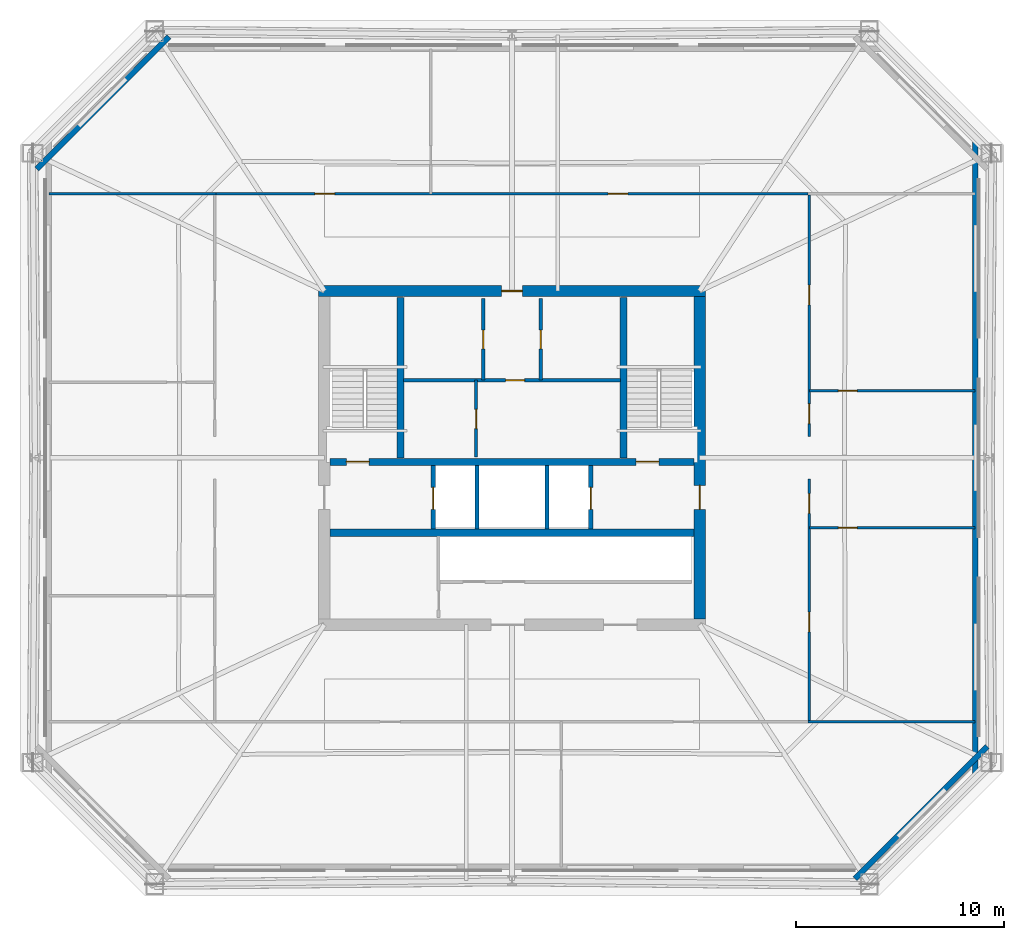
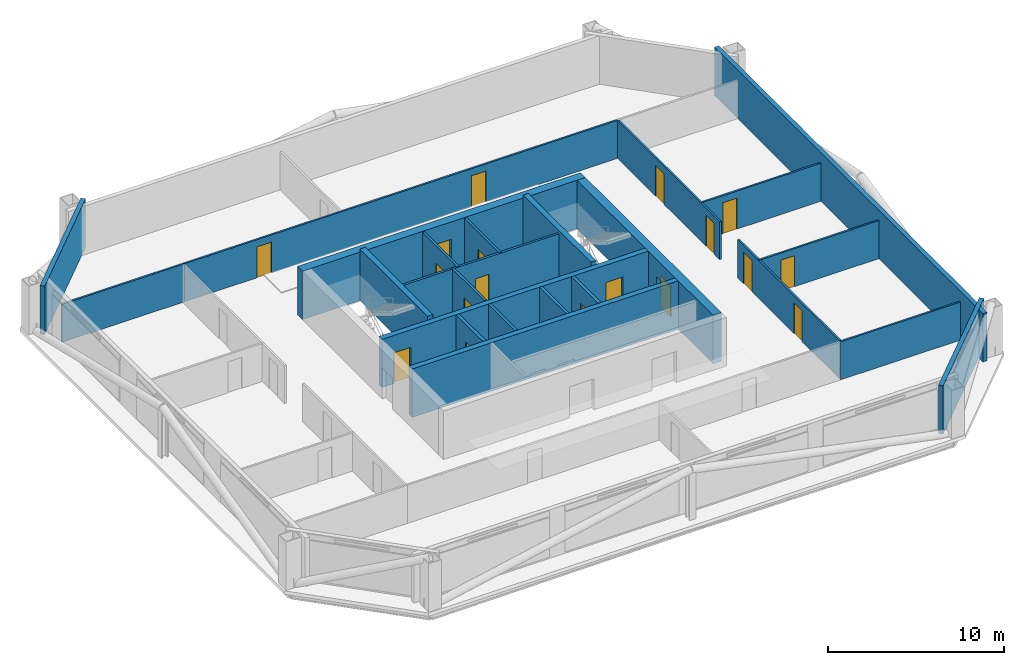
# One storey, part 3 of 6: 24 walls, 18 doors, 18 openings.
"""IFC4 building model written with IfcOpenShell, lengths in metres."""

from ifc_helpers import new_model, si_unit, direction, frame, frame_2d, origin, place, context, subcontext, project, spatial, rectangle, extrude, material, layer, layer_set, type_object, element, fill, save


model = new_model("IFC4")

# Units and contexts
model_context = context("Model", 3, precision=1e-05, world=origin(), true_north=direction((0.0, 1.0)))
body_context = subcontext(model_context, "Body", "Model", "MODEL_VIEW")
ifc_project = project(units=[si_unit("LENGTHUNIT", "METRE"), si_unit("AREAUNIT", "SQUARE_METRE"), si_unit("VOLUMEUNIT", "CUBIC_METRE"), si_unit("PLANEANGLEUNIT", "RADIAN"), si_unit("MASSUNIT", "GRAM", prefix="KILO")], contexts=[model_context])

# Site, building, storey
site_placement = place(None, origin())
site = spatial("IfcSite", under=ifc_project, at=site_placement, CompositionType="ELEMENT")
building_placement = place(site_placement, origin())
building = spatial("IfcBuilding", under=site, at=building_placement, Name="Caelvoria Tower", CompositionType="ELEMENT")
storey_placement = place(building_placement, frame((0.0, 0.0, 116.800048828125)))
storey = spatial("IfcBuildingStorey", under=building, at=storey_placement, Name="L30", CompositionType="ELEMENT", Elevation=116.800048828125)

# Wall, openings, doors
ifc_material_1 = material(Name="Concrete C50/60", Category="concrete")
ifc_layer_1 = layer(ifc_material_1, 0.35009765625, Name="Concrete C50/60")
ifc_layer_set_1 = layer_set([ifc_layer_1], Name="Core Internal Shear Wall 350 - Concrete C50/60")
wall_type_1 = type_object("IfcWallType", Name="Core Internal Shear Wall 350", PredefinedType="SHEAR", material=ifc_layer_set_1)
wall_1_placement = place(storey_placement, frame((37.27490234375, 31.800048828125, 0.0), z_axis=(0.0, 0.0, 1.0), x_axis=(1.0, 0.0, 0.0)))
wall_1 = element("IfcWall", 1, at=wall_1_placement, inside=storey, type_object=wall_type_1, Name="Core Shear Wall L30 M1", PredefinedType="SHEAR", context=body_context, shape_type="SweptSolid", body=[
    extrude(rectangle(XDim=17.4501953125, YDim=0.35009765625, at=frame_2d((8.72509765625, 0.0))), origin(), (0.0, 0.0, 1.0), 3.35986328125),
])
opening_1_placement = place(wall_1_placement, frame((0.77490234375, 0.0, 0.0)))
opening_1 = element("IfcOpeningElement", 2, at=opening_1_placement, cuts=wall_1, Name="Opening ID-01", PredefinedType="OPENING", context=body_context, shape_type="SweptSolid", body=[
    extrude(rectangle(XDim=1.10009765625, YDim=2.14990234375, at=frame_2d((0.550048828125, 1.074951171875))), frame((0.0, 0.18505859375, 0.0), z_axis=(0.0, -1.0, 0.0), x_axis=(1.0, 0.0, 0.0)), (0.0, 0.0, 1.0), 0.3701171875),
])
opening_2_placement = place(wall_1_placement, frame((14.675048828125, 0.0, 0.0)))
opening_2 = element("IfcOpeningElement", 3, at=opening_2_placement, cuts=wall_1, Name="Opening ID-01", PredefinedType="OPENING", context=body_context, shape_type="SweptSolid", body=[
    extrude(rectangle(XDim=1.10009765625, YDim=2.14990234375, at=frame_2d((0.550048828125, 1.074951171875))), frame((0.0, 0.18505859375, 0.0), z_axis=(0.0, -1.0, 0.0), x_axis=(1.0, 0.0, 0.0)), (0.0, 0.0, 1.0), 0.3701171875),
])
ifc_material_2 = material(Name="Painted Hollow Steel Fire Door", Category="steel")
door_type_1 = type_object("IfcDoorType", Name="Fire Door FD90S 1100x2150", OperationType="NOTDEFINED", PredefinedType="DOOR", material=ifc_material_2)
door_1_placement = place(opening_1_placement, origin())
door_1 = element("IfcDoor", 4, at=door_1_placement, inside=storey, type_object=door_type_1, Name="Core Door DR-L30-ST1", OperationType="SINGLE_SWING_LEFT", OverallHeight=2.14990234375, OverallWidth=1.10009765625, PredefinedType="DOOR", context=body_context, shape_type="SweptSolid", body=[
    extrude(rectangle(XDim=1.10009765625, YDim=2.14990234375, at=frame_2d((0.550048828125, 1.074951171875))), frame((0.0, 0.02490234375, 0.0), z_axis=(0.0, -1.0, 0.0), x_axis=(1.0, 0.0, 0.0)), (0.0, 0.0, 1.0), 0.050048828125),
])
fill(opening_1, door_1)
door_2_placement = place(opening_2_placement, origin())
door_2 = element("IfcDoor", 5, at=door_2_placement, inside=storey, type_object=door_type_1, Name="Core Door DR-L30-ST2", OperationType="SINGLE_SWING_RIGHT", OverallHeight=2.14990234375, OverallWidth=1.10009765625, PredefinedType="DOOR", context=body_context, shape_type="SweptSolid", body=[
    extrude(rectangle(XDim=1.10009765625, YDim=2.14990234375, at=frame_2d((0.550048828125, 1.074951171875))), frame((0.0, 0.02490234375, 0.0), z_axis=(0.0, -1.0, 0.0), x_axis=(1.0, 0.0, 0.0)), (0.0, 0.0, 1.0), 0.050048828125),
])
fill(opening_2, door_2)

# Walls
wall_2_placement = place(storey_placement, frame((37.27490234375, 28.39990234375, 0.0), z_axis=(0.0, 0.0, 1.0), x_axis=(1.0, 0.0, 0.0)))
element("IfcWall", 6, at=wall_2_placement, inside=storey, type_object=wall_type_1, Name="Core Shear Wall L30 M2", PredefinedType="SHEAR", context=body_context, shape_type="SweptSolid", body=[
    extrude(rectangle(XDim=17.4501953125, YDim=0.35009765625, at=frame_2d((8.72509765625, 0.0))), origin(), (0.0, 0.0, 1.0), 3.35986328125),
])
for number, where, z_axis, x_axis, name in (
    (7, (40.64990234375, 32.0, 0.0), (0.0, 0.0, 1.0), (0.0, 1.0, 0.0), "Interior Partition IW-L30-ST1E"),
    (8, (51.35009765625, 32.0, 0.0), (0.0, 0.0, 1.0), (0.0, 1.0, 0.0), "Interior Partition IW-L30-ST2W"),
):
    element("IfcWall", number, at=place(storey_placement, frame(where, z_axis=z_axis, x_axis=x_axis)), inside=storey, type_object=wall_type_1, Name=name, PredefinedType="SHEAR", context=body_context, shape_type="SweptSolid", body=[
        extrude(rectangle(XDim=7.699951171875, YDim=0.35009765625, at=frame_2d((3.85009765625, 0.0))), origin(), (0.0, 0.0, 1.0), 3.599853515625),
    ])

# Wall, opening, door
ifc_material_3 = material(Name="Double Gypsum Board on Steel Stud", Category="steel")
ifc_layer_2 = layer(ifc_material_3, 0.14990234375, Name="Double Gypsum Board on Steel Stud")
ifc_layer_set_2 = layer_set([ifc_layer_2], Name="Core Service Acoustic Partition Wall 150 - Double Gypsum Board on Steel Stud")
wall_type_2 = type_object("IfcWallType", Name="Core Service Acoustic Partition Wall 150", PredefinedType="PARTITIONING", material=ifc_layer_set_2)
wall_3_placement = place(storey_placement, frame((44.6201171875, 35.719970703125, 0.0), z_axis=(0.0, 0.0, 1.0), x_axis=(0.0, 1.0, 0.0)))
wall_3 = element("IfcWall", 9, at=wall_3_placement, inside=storey, type_object=wall_type_2, Name="Interior Partition IW-L30-C0L", PredefinedType="PARTITIONING", context=body_context, shape_type="SweptSolid", body=[
    extrude(rectangle(XDim=3.929931640625, YDim=0.14990234375, at=frame_2d((1.96484375, 0.0))), origin(), (0.0, 0.0, 1.0), 3.35986328125),
])
opening_3_placement = place(wall_3_placement, frame((1.5, 0.0, 0.0)))
opening_3 = element("IfcOpeningElement", 10, at=opening_3_placement, cuts=wall_3, Name="Opening ID-06", PredefinedType="OPENING", context=body_context, shape_type="SweptSolid", body=[
    extrude(rectangle(XDim=0.89990234375, YDim=2.14990234375, at=frame_2d((0.449951171875, 1.074951171875))), frame((0.0, 0.0849609375, 0.0), z_axis=(0.0, -1.0, 0.0), x_axis=(1.0, 0.0, 0.0)), (0.0, 0.0, 1.0), 0.169921875),
])
ifc_material_4 = material(Name="Engineered Andean Oak Veneer Door", Category="wood")
door_type_2 = type_object("IfcDoorType", Name="Interior Timber Door 900x2150", OperationType="NOTDEFINED", PredefinedType="DOOR", material=ifc_material_4)
door_3_placement = place(opening_3_placement, origin())
door_3 = element("IfcDoor", 11, at=door_3_placement, inside=storey, type_object=door_type_2, Name="Interior Door DR-L30-C01", OperationType="SINGLE_SWING_LEFT", OverallHeight=2.14990234375, OverallWidth=0.89990234375, PredefinedType="DOOR", context=body_context, shape_type="SweptSolid", body=[
    extrude(rectangle(XDim=0.89990234375, YDim=2.14990234375, at=frame_2d((0.449951171875, 1.074951171875))), frame((0.0, 0.02490234375, 0.0), z_axis=(0.0, -1.0, 0.0), x_axis=(1.0, 0.0, 0.0)), (0.0, 0.0, 1.0), 0.050048828125),
])
fill(opening_3, door_3)

wall_4_placement = place(storey_placement, frame((47.3798828125, 35.719970703125, 0.0), z_axis=(0.0, 0.0, 1.0), x_axis=(0.0, 1.0, 0.0)))
wall_4 = element("IfcWall", 12, at=wall_4_placement, inside=storey, type_object=wall_type_2, Name="Interior Partition IW-L30-C0R", PredefinedType="PARTITIONING", context=body_context, shape_type="SweptSolid", body=[
    extrude(rectangle(XDim=3.929931640625, YDim=0.14990234375, at=frame_2d((1.96484375, 0.0))), origin(), (0.0, 0.0, 1.0), 3.35986328125),
])
opening_4_placement = place(wall_4_placement, frame((1.5, 0.0, 0.0)))
opening_4 = element("IfcOpeningElement", 13, at=opening_4_placement, cuts=wall_4, Name="Opening ID-06", PredefinedType="OPENING", context=body_context, shape_type="SweptSolid", body=[
    extrude(rectangle(XDim=0.89990234375, YDim=2.14990234375, at=frame_2d((0.449951171875, 1.074951171875))), frame((0.0, 0.0849609375, 0.0), z_axis=(0.0, -1.0, 0.0), x_axis=(1.0, 0.0, 0.0)), (0.0, 0.0, 1.0), 0.169921875),
])
door_4_placement = place(opening_4_placement, origin())
door_4 = element("IfcDoor", 14, at=door_4_placement, inside=storey, type_object=door_type_2, Name="Interior Door DR-L30-C02", OperationType="SINGLE_SWING_RIGHT", OverallHeight=2.14990234375, OverallWidth=0.89990234375, PredefinedType="DOOR", context=body_context, shape_type="SweptSolid", body=[
    extrude(rectangle(XDim=0.89990234375, YDim=2.14990234375, at=frame_2d((0.449951171875, 1.074951171875))), frame((0.0, 0.02490234375, 0.0), z_axis=(0.0, -1.0, 0.0), x_axis=(1.0, 0.0, 0.0)), (0.0, 0.0, 1.0), 0.050048828125),
])
fill(opening_4, door_4)

wall_5_placement = place(storey_placement, frame((44.280029296875, 32.050048828125, 0.0), z_axis=(0.0, 0.0, 1.0), x_axis=(0.0, 1.0, 0.0)))
wall_5 = element("IfcWall", 15, at=wall_5_placement, inside=storey, type_object=wall_type_2, Name="Interior Partition IW-L30-C0M", PredefinedType="PARTITIONING", context=body_context, shape_type="SweptSolid", body=[
    extrude(rectangle(XDim=3.669921875, YDim=0.14990234375, at=frame_2d((1.8349609375, 0.0))), origin(), (0.0, 0.0, 1.0), 3.35986328125),
])
opening_5_placement = place(wall_5_placement, frame((1.35009765625, 0.0, 0.0)))
opening_5 = element("IfcOpeningElement", 16, at=opening_5_placement, cuts=wall_5, Name="Opening ID-07", PredefinedType="OPENING", context=body_context, shape_type="SweptSolid", body=[
    extrude(rectangle(XDim=0.919921875, YDim=2.14990234375, at=frame_2d((0.4599609375, 1.074951171875))), frame((0.0, 0.0849609375, 0.0), z_axis=(0.0, -1.0, 0.0), x_axis=(1.0, 0.0, 0.0)), (0.0, 0.0, 1.0), 0.169921875),
])
ifc_material_5 = material(Name="Engineered Andean Oak Accessible Door", Category="wood")
door_type_3 = type_object("IfcDoorType", Name="Accessible WC Door 950x2150", OperationType="NOTDEFINED", PredefinedType="DOOR", material=ifc_material_5)
door_5_placement = place(opening_5_placement, origin())
door_5 = element("IfcDoor", 17, at=door_5_placement, inside=storey, type_object=door_type_3, Name="Interior Door DR-L30-C05", OperationType="SINGLE_SWING_LEFT", OverallHeight=2.14990234375, OverallWidth=0.919921875, PredefinedType="DOOR", context=body_context, shape_type="SweptSolid", body=[
    extrude(rectangle(XDim=0.919921875, YDim=2.14990234375, at=frame_2d((0.4599609375, 1.074951171875))), frame((0.0, 0.02490234375, 0.0), z_axis=(0.0, -1.0, 0.0), x_axis=(1.0, 0.0, 0.0)), (0.0, 0.0, 1.0), 0.050048828125),
])
fill(opening_5, door_5)

wall_6_placement = place(storey_placement, frame((40.800048828125, 35.719970703125, 0.0), z_axis=(0.0, 0.0, 1.0), x_axis=(1.0, 0.0, 0.0)))
wall_6 = element("IfcWall", 18, at=wall_6_placement, inside=storey, type_object=wall_type_2, Name="Interior Partition IW-L30-C0H", PredefinedType="PARTITIONING", context=body_context, shape_type="SweptSolid", body=[
    extrude(rectangle(XDim=10.39990234375, YDim=0.14990234375, at=frame_2d((5.199951171875, 0.0))), origin(), (0.0, 0.0, 1.0), 3.35986328125),
])
opening_6_placement = place(wall_6_placement, frame((4.89990234375, 0.0, 0.0)))
opening_6 = element("IfcOpeningElement", 19, at=opening_6_placement, cuts=wall_6, Name="Opening ID-04", PredefinedType="OPENING", context=body_context, shape_type="SweptSolid", body=[
    extrude(rectangle(XDim=0.89990234375, YDim=2.14990234375, at=frame_2d((0.449951171875, 1.074951171875))), frame((0.0, 0.0849609375, 0.0), z_axis=(0.0, -1.0, 0.0), x_axis=(1.0, 0.0, 0.0)), (0.0, 0.0, 1.0), 0.169921875),
])
ifc_material_6 = material(Name="Acoustic Timber Fire Door", Category="wood")
door_type_4 = type_object("IfcDoorType", Name="Fire Door FD30S 900x2150", OperationType="NOTDEFINED", PredefinedType="DOOR", material=ifc_material_6)
door_6_placement = place(opening_6_placement, origin())
door_6 = element("IfcDoor", 20, at=door_6_placement, inside=storey, type_object=door_type_4, Name="Interior Door DR-L30-C04", OperationType="SINGLE_SWING_RIGHT", OverallHeight=2.14990234375, OverallWidth=0.89990234375, PredefinedType="DOOR", context=body_context, shape_type="SweptSolid", body=[
    extrude(rectangle(XDim=0.89990234375, YDim=2.14990234375, at=frame_2d((0.449951171875, 1.074951171875))), frame((0.0, 0.02490234375, 0.0), z_axis=(0.0, -1.0, 0.0), x_axis=(1.0, 0.0, 0.0)), (0.0, 0.0, 1.0), 0.050048828125),
])
fill(opening_6, door_6)

# Walls
ifc_material_7 = material(Name="Precast Concrete C40/50 with Bronze Cladding", Category="concrete")
ifc_layer_3 = layer(ifc_material_7, 0.280029296875, Name="Precast Concrete C40/50 with Bronze Cladding")
ifc_layer_set_3 = layer_set([ifc_layer_3], Name="Exterior Precast Concrete C40/50 Bronze-Clad Facade Wall 280 - Precast Concrete C40/50 with Bronze Cladding")
wall_type_3 = type_object("IfcWallType", Name="Exterior Precast Concrete C40/50 Bronze-Clad Facade Wall 280", PredefinedType="STANDARD", material=ifc_layer_set_3)
wall_7_placement = place(storey_placement, frame((62.45458984375, 11.80615234375, 0.0), z_axis=(0.0, 0.0, 1.0), x_axis=(0.707106781187, 0.707106781187, 0.0)))
element("IfcWall", 21, at=wall_7_placement, inside=storey, type_object=wall_type_3, Name="Exterior Facade Wall L30-E1", PredefinedType="STANDARD", context=body_context, shape_type="SweptSolid", body=[
    extrude(rectangle(XDim=8.965087890625, YDim=0.280029296875, at=frame_2d((4.482421875, 0.0))), origin(), (0.0, 0.0, 1.0), 3.35986328125),
])
wall_8_placement = place(storey_placement, frame((68.219970703125, 16.760009765625, 0.0), z_axis=(0.0, 0.0, 1.0), x_axis=(0.0, 1.0, 0.0)))
element("IfcWall", 22, at=wall_8_placement, inside=storey, type_object=wall_type_3, Name="Exterior Facade Wall L30-E2", PredefinedType="STANDARD", context=body_context, shape_type="SweptSolid", body=[
    extrude(rectangle(XDim=30.47998046875, YDim=0.280029296875, at=frame_2d((15.239990234375, 0.0))), origin(), (0.0, 0.0, 1.0), 3.35986328125),
])
wall_9_placement = place(storey_placement, frame((29.54541015625, 52.19384765625, 0.0), z_axis=(0.0, 0.0, 1.0), x_axis=(-0.707106781187, -0.707106781187, 0.0)))
element("IfcWall", 23, at=wall_9_placement, inside=storey, type_object=wall_type_3, Name="Exterior Facade Wall L30-E5", PredefinedType="STANDARD", context=body_context, shape_type="SweptSolid", body=[
    extrude(rectangle(XDim=8.965087890625, YDim=0.280029296875, at=frame_2d((4.482421875, 0.0))), origin(), (0.0, 0.0, 1.0), 3.35986328125),
])
ifc_material_8 = material(Name="Concrete Block and Fireboard Assembly", Category="concrete")
ifc_layer_4 = layer(ifc_material_8, 0.179931640625, Name="Concrete Block and Fireboard Assembly")
ifc_layer_set_4 = layer_set([ifc_layer_4], Name="Fire-Rated Hoistway Partition Wall 180 - Concrete Block and Fireboard Assembly")
wall_type_4 = type_object("IfcWallType", Name="Fire-Rated Hoistway Partition Wall 180", PredefinedType="PARTITIONING", material=ifc_layer_set_4)
for number, where, z_axis, x_axis, name in (
    (24, (44.320068359375, 28.580078125, 0.0), (0.0, 0.0, 1.0), (0.0, 1.0, 0.0), "Interior Partition IW-L30-SV1W"),
    (25, (47.679931640625, 28.580078125, 0.0), (0.0, 0.0, 1.0), (0.0, 1.0, 0.0), "Interior Partition IW-L30-SV1E"),
):
    element("IfcWall", number, at=place(storey_placement, frame(where, z_axis=z_axis, x_axis=x_axis)), inside=storey, type_object=wall_type_4, Name=name, PredefinedType="PARTITIONING", context=body_context, shape_type="SweptSolid", body=[
        extrude(rectangle(XDim=3.0400390625, YDim=0.179931640625, at=frame_2d((1.52001953125, 0.0))), origin(), (0.0, 0.0, 1.0), 3.35986328125),
    ])

# Wall, opening, door
ifc_layer_5 = layer(ifc_material_8, 0.199951171875, Name="Concrete Block and Fireboard Assembly")
ifc_layer_set_5 = layer_set([ifc_layer_5], Name="Fire-Rated Shaft and Core Partition Wall 200 - Concrete Block and Fireboard Assembly")
wall_type_5 = type_object("IfcWallType", Name="Fire-Rated Shaft and Core Partition Wall 200", PredefinedType="PARTITIONING", material=ifc_layer_set_5)
wall_10_placement = place(storey_placement, frame((42.219970703125, 28.580078125, 0.0), z_axis=(0.0, 0.0, 1.0), x_axis=(0.0, 1.0, 0.0)))
wall_10 = element("IfcWall", 26, at=wall_10_placement, inside=storey, type_object=wall_type_5, Name="Interior Partition IW-L30-LF1W", PredefinedType="PARTITIONING", context=body_context, shape_type="SweptSolid", body=[
    extrude(rectangle(XDim=3.0400390625, YDim=0.199951171875, at=frame_2d((1.52001953125, 0.0))), origin(), (0.0, 0.0, 1.0), 3.35986328125),
])
opening_7_placement = place(wall_10_placement, frame((0.949951171875, 0.0, 0.0)))
opening_7 = element("IfcOpeningElement", 27, at=opening_7_placement, cuts=wall_10, Name="Opening LD-01", PredefinedType="OPENING", context=body_context, shape_type="SweptSolid", body=[
    extrude(rectangle(XDim=1.050048828125, YDim=2.14990234375, at=frame_2d((0.52490234375, 1.074951171875))), frame((0.0, 0.10986328125, 0.0), z_axis=(0.0, -1.0, 0.0), x_axis=(1.0, 0.0, 0.0)), (0.0, 0.0, 1.0), 0.219970703125),
])
ifc_material_9 = material(Name="Brushed Bronze Stainless Sliding Landing Door", Category="aluminium")
door_type_5 = type_object("IfcDoorType", Name="Lift Landing Sliding Door 1100x2150", OperationType="NOTDEFINED", PredefinedType="DOOR", material=ifc_material_9)
door_7_placement = place(opening_7_placement, origin())
door_7 = element("IfcDoor", 28, at=door_7_placement, inside=storey, type_object=door_type_5, Name="Interior Door LD-L30-LF1", OperationType="SLIDING_TO_LEFT", OverallHeight=2.14990234375, OverallWidth=1.050048828125, PredefinedType="DOOR", context=body_context, shape_type="SweptSolid", body=[
    extrude(rectangle(XDim=1.050048828125, YDim=2.14990234375, at=frame_2d((0.52490234375, 1.074951171875))), frame((0.0, 0.02490234375, 0.0), z_axis=(0.0, -1.0, 0.0), x_axis=(1.0, 0.0, 0.0)), (0.0, 0.0, 1.0), 0.050048828125),
])
fill(opening_7, door_7)

wall_11_placement = place(storey_placement, frame((49.780029296875, 28.580078125, 0.0), z_axis=(0.0, 0.0, 1.0), x_axis=(0.0, 1.0, 0.0)))
wall_11 = element("IfcWall", 29, at=wall_11_placement, inside=storey, type_object=wall_type_5, Name="Interior Partition IW-L30-LF2E", PredefinedType="PARTITIONING", context=body_context, shape_type="SweptSolid", body=[
    extrude(rectangle(XDim=3.0400390625, YDim=0.199951171875, at=frame_2d((1.52001953125, 0.0))), origin(), (0.0, 0.0, 1.0), 3.35986328125),
])
opening_8_placement = place(wall_11_placement, frame((0.949951171875, 0.0, 0.0)))
opening_8 = element("IfcOpeningElement", 30, at=opening_8_placement, cuts=wall_11, Name="Opening LD-01", PredefinedType="OPENING", context=body_context, shape_type="SweptSolid", body=[
    extrude(rectangle(XDim=1.050048828125, YDim=2.14990234375, at=frame_2d((0.52490234375, 1.074951171875))), frame((0.0, 0.10986328125, 0.0), z_axis=(0.0, -1.0, 0.0), x_axis=(1.0, 0.0, 0.0)), (0.0, 0.0, 1.0), 0.219970703125),
])
door_8_placement = place(opening_8_placement, origin())
door_8 = element("IfcDoor", 31, at=door_8_placement, inside=storey, type_object=door_type_5, Name="Interior Door LD-L30-LF2", OperationType="SLIDING_TO_RIGHT", OverallHeight=2.14990234375, OverallWidth=1.050048828125, PredefinedType="DOOR", context=body_context, shape_type="SweptSolid", body=[
    extrude(rectangle(XDim=1.050048828125, YDim=2.14990234375, at=frame_2d((0.52490234375, 1.074951171875))), frame((0.0, 0.02490234375, 0.0), z_axis=(0.0, -1.0, 0.0), x_axis=(1.0, 0.0, 0.0)), (0.0, 0.0, 1.0), 0.050048828125),
])
fill(opening_8, door_8)

ifc_material_10 = material(Name="Concrete C55/67", Category="concrete")
ifc_layer_6 = layer(ifc_material_10, 0.550048828125, Name="Concrete C55/67")
ifc_layer_set_6 = layer_set([ifc_layer_6], Name="Mid Core Shear Wall 550 - Concrete C55/67")
wall_type_6 = type_object("IfcWallType", Name="Mid Core Shear Wall 550", PredefinedType="SHEAR", material=ifc_layer_set_6)
wall_12_placement = place(storey_placement, frame((36.72509765625, 40.0, 0.0), z_axis=(0.0, 0.0, 1.0), x_axis=(1.0, 0.0, 0.0)))
wall_12 = element("IfcWall", 32, at=wall_12_placement, inside=storey, type_object=wall_type_6, Name="Core Shear Wall L30 N", PredefinedType="SHEAR", context=body_context, shape_type="SweptSolid", body=[
    extrude(rectangle(XDim=18.5498046875, YDim=0.550048828125, at=frame_2d((9.27490234375, 0.0))), origin(), (0.0, 0.0, 1.0), 3.35986328125),
])
opening_9_placement = place(wall_12_placement, frame((8.77490234375, 0.0, 0.0)))
opening_9 = element("IfcOpeningElement", 33, at=opening_9_placement, cuts=wall_12, Name="Opening ID-03", PredefinedType="OPENING", context=body_context, shape_type="SweptSolid", body=[
    extrude(rectangle(XDim=1.0, YDim=2.14990234375, at=frame_2d((0.5, 1.074951171875))), frame((0.0, 0.284912109375, 0.0), z_axis=(0.0, -1.0, 0.0), x_axis=(1.0, 0.0, 0.0)), (0.0, 0.0, 1.0), 0.570068359375),
])
door_type_6 = type_object("IfcDoorType", Name="Fire Door FD60S 1000x2150", OperationType="NOTDEFINED", PredefinedType="DOOR", material=ifc_material_2)
door_9_placement = place(opening_9_placement, origin())
door_9 = element("IfcDoor", 34, at=door_9_placement, inside=storey, type_object=door_type_6, Name="Core Door DR-L30-WC-MAIN", OperationType="SINGLE_SWING_RIGHT", OverallHeight=2.14990234375, OverallWidth=1.0, PredefinedType="DOOR", context=body_context, shape_type="SweptSolid", body=[
    extrude(rectangle(XDim=1.0, YDim=2.14990234375, at=frame_2d((0.5, 1.074951171875))), frame((0.0, 0.02490234375, 0.0), z_axis=(0.0, -1.0, 0.0), x_axis=(1.0, 0.0, 0.0)), (0.0, 0.0, 1.0), 0.050048828125),
])
fill(opening_9, door_9)

wall_13_placement = place(storey_placement, frame((55.0, 24.27490234375, 0.0), z_axis=(0.0, 0.0, 1.0), x_axis=(0.0, 1.0, 0.0)))
wall_13 = element("IfcWall", 35, at=wall_13_placement, inside=storey, type_object=wall_type_6, Name="Core Shear Wall L30 E", PredefinedType="SHEAR", context=body_context, shape_type="SweptSolid", body=[
    extrude(rectangle(XDim=15.4501953125, YDim=0.550048828125, at=frame_2d((7.72509765625, 0.0))), origin(), (0.0, 0.0, 1.0), 3.35986328125),
])
opening_10_placement = place(wall_13_placement, frame((5.25, 0.0, 0.0)))
opening_10 = element("IfcOpeningElement", 36, at=opening_10_placement, cuts=wall_13, Name="Opening ID-02", PredefinedType="OPENING", context=body_context, shape_type="SweptSolid", body=[
    extrude(rectangle(XDim=1.14990234375, YDim=2.14990234375, at=frame_2d((0.574951171875, 1.074951171875))), frame((0.0, 0.284912109375, 0.0), z_axis=(0.0, -1.0, 0.0), x_axis=(1.0, 0.0, 0.0)), (0.0, 0.0, 1.0), 0.570068359375),
])
door_type_7 = type_object("IfcDoorType", Name="Fire Door FD60S 1150x2150", OperationType="NOTDEFINED", PredefinedType="DOOR", material=ifc_material_2)
door_10_placement = place(opening_10_placement, origin())
door_10 = element("IfcDoor", 37, at=door_10_placement, inside=storey, type_object=door_type_7, Name="Core Door DR-L30-FFLE-OUT", OperationType="SINGLE_SWING_RIGHT", OverallHeight=2.14990234375, OverallWidth=1.14990234375, PredefinedType="DOOR", context=body_context, shape_type="SweptSolid", body=[
    extrude(rectangle(XDim=1.14990234375, YDim=2.14990234375, at=frame_2d((0.574951171875, 1.074951171875))), frame((0.0, 0.02490234375, 0.0), z_axis=(0.0, -1.0, 0.0), x_axis=(1.0, 0.0, 0.0)), (0.0, 0.0, 1.0), 0.050048828125),
])
fill(opening_10, door_10)

# Wall, openings, doors
ifc_material_11 = material(Name="Acoustic Gypsum Board on Light-Gauge Stud", Category="gypsum")
ifc_layer_7 = layer(ifc_material_11, 0.1201171875, Name="Acoustic Gypsum Board on Light-Gauge Stud")
ifc_layer_set_7 = layer_set([ifc_layer_7], Name="Tenant Suite Acoustic Partition Wall 120 - Acoustic Gypsum Board on Light-Gauge Stud")
wall_type_7 = type_object("IfcWallType", Name="Tenant Suite Acoustic Partition Wall 120", PredefinedType="PARTITIONING", material=ifc_layer_set_7)
wall_14_placement = place(storey_placement, frame((31.800048828125, 44.659912109375, 0.0), z_axis=(0.0, 0.0, 1.0), x_axis=(1.0, 0.0, 0.0)))
wall_14 = element("IfcWall", 38, at=wall_14_placement, inside=storey, type_object=wall_type_7, Name="Interior Partition IW-L30-NCW-0", PredefinedType="PARTITIONING", context=body_context, shape_type="SweptSolid", body=[
    extrude(rectangle(XDim=28.39990234375, YDim=0.1201171875, at=frame_2d((14.199951171875, 0.0))), origin(), (0.0, 0.0, 1.0), 2.639892578125),
])
opening_11_placement = place(wall_14_placement, frame((4.74658203125, 0.0, 0.0)))
opening_11 = element("IfcOpeningElement", 39, at=opening_11_placement, cuts=wall_14, Name="Opening ID-05", PredefinedType="OPENING", context=body_context, shape_type="SweptSolid", body=[
    extrude(rectangle(XDim=0.949951171875, YDim=2.14990234375, at=frame_2d((0.47509765625, 1.074951171875))), frame((0.0, 0.070068359375, 0.0), z_axis=(0.0, -1.0, 0.0), x_axis=(1.0, 0.0, 0.0)), (0.0, 0.0, 1.0), 0.14013671875),
])
opening_12_placement = place(wall_14_placement, frame((18.806640625, 0.0, 0.0)))
opening_12 = element("IfcOpeningElement", 40, at=opening_12_placement, cuts=wall_14, Name="Opening ID-05", PredefinedType="OPENING", context=body_context, shape_type="SweptSolid", body=[
    extrude(rectangle(XDim=0.949951171875, YDim=2.14990234375, at=frame_2d((0.47509765625, 1.074951171875))), frame((0.0, 0.070068359375, 0.0), z_axis=(0.0, -1.0, 0.0), x_axis=(1.0, 0.0, 0.0)), (0.0, 0.0, 1.0), 0.14013671875),
])
door_type_8 = type_object("IfcDoorType", Name="Interior Timber Door 950x2150", OperationType="NOTDEFINED", PredefinedType="DOOR", material=ifc_material_4)
door_11_placement = place(opening_11_placement, origin())
door_11 = element("IfcDoor", 41, at=door_11_placement, inside=storey, type_object=door_type_8, Name="Interior Door DR-L30-NC-00-0", OperationType="SINGLE_SWING_LEFT", OverallHeight=2.14990234375, OverallWidth=0.949951171875, PredefinedType="DOOR", context=body_context, shape_type="SweptSolid", body=[
    extrude(rectangle(XDim=0.949951171875, YDim=2.14990234375, at=frame_2d((0.47509765625, 1.074951171875))), frame((0.0, 0.02490234375, 0.0), z_axis=(0.0, -1.0, 0.0), x_axis=(1.0, 0.0, 0.0)), (0.0, 0.0, 1.0), 0.050048828125),
])
fill(opening_11, door_11)
door_12_placement = place(opening_12_placement, origin())
door_12 = element("IfcDoor", 42, at=door_12_placement, inside=storey, type_object=door_type_8, Name="Interior Door DR-L30-NC-01-0", OperationType="SINGLE_SWING_RIGHT", OverallHeight=2.14990234375, OverallWidth=0.949951171875, PredefinedType="DOOR", context=body_context, shape_type="SweptSolid", body=[
    extrude(rectangle(XDim=0.949951171875, YDim=2.14990234375, at=frame_2d((0.47509765625, 1.074951171875))), frame((0.0, 0.02490234375, 0.0), z_axis=(0.0, -1.0, 0.0), x_axis=(1.0, 0.0, 0.0)), (0.0, 0.0, 1.0), 0.050048828125),
])
fill(opening_12, door_12)

# Wall, opening, door
wall_15_placement = place(storey_placement, frame((60.260009765625, 28.642578125, 0.0), z_axis=(0.0, 0.0, 1.0), x_axis=(1.0, 0.0, 0.0)))
wall_15 = element("IfcWall", 43, at=wall_15_placement, inside=storey, type_object=wall_type_7, Name="Interior Partition IW-L30-ED-00-0", PredefinedType="PARTITIONING", context=body_context, shape_type="SweptSolid", body=[
    extrude(rectangle(XDim=7.9599609375, YDim=0.1201171875, at=frame_2d((3.97998046875, 0.0))), origin(), (0.0, 0.0, 1.0), 2.639892578125),
])
opening_13_placement = place(wall_15_placement, frame((1.39990234375, 0.0, 0.0)))
opening_13 = element("IfcOpeningElement", 44, at=opening_13_placement, cuts=wall_15, Name="Opening ID-06", PredefinedType="OPENING", context=body_context, shape_type="SweptSolid", body=[
    extrude(rectangle(XDim=0.89990234375, YDim=2.14990234375, at=frame_2d((0.449951171875, 1.074951171875))), frame((0.0, 0.070068359375, 0.0), z_axis=(0.0, -1.0, 0.0), x_axis=(1.0, 0.0, 0.0)), (0.0, 0.0, 1.0), 0.14013671875),
])
door_13_placement = place(opening_13_placement, origin())
door_13 = element("IfcDoor", 45, at=door_13_placement, inside=storey, type_object=door_type_2, Name="Interior Door DR-L30-EM-00-0", OperationType="SINGLE_SWING_RIGHT", OverallHeight=2.14990234375, OverallWidth=0.89990234375, PredefinedType="DOOR", context=body_context, shape_type="SweptSolid", body=[
    extrude(rectangle(XDim=0.89990234375, YDim=2.14990234375, at=frame_2d((0.449951171875, 1.074951171875))), frame((0.0, 0.02490234375, 0.0), z_axis=(0.0, -1.0, 0.0), x_axis=(1.0, 0.0, 0.0)), (0.0, 0.0, 1.0), 0.050048828125),
])
fill(opening_13, door_13)

wall_16_placement = place(storey_placement, frame((60.260009765625, 35.20947265625, 0.0), z_axis=(0.0, 0.0, 1.0), x_axis=(1.0, 0.0, 0.0)))
wall_16 = element("IfcWall", 46, at=wall_16_placement, inside=storey, type_object=wall_type_7, Name="Interior Partition IW-L30-ED-01-0", PredefinedType="PARTITIONING", context=body_context, shape_type="SweptSolid", body=[
    extrude(rectangle(XDim=7.9599609375, YDim=0.1201171875, at=frame_2d((3.97998046875, 0.0))), origin(), (0.0, 0.0, 1.0), 2.639892578125),
])
opening_14_placement = place(wall_16_placement, frame((1.39990234375, 0.0, 0.0)))
opening_14 = element("IfcOpeningElement", 47, at=opening_14_placement, cuts=wall_16, Name="Opening ID-06", PredefinedType="OPENING", context=body_context, shape_type="SweptSolid", body=[
    extrude(rectangle(XDim=0.89990234375, YDim=2.14990234375, at=frame_2d((0.449951171875, 1.074951171875))), frame((0.0, 0.070068359375, 0.0), z_axis=(0.0, -1.0, 0.0), x_axis=(1.0, 0.0, 0.0)), (0.0, 0.0, 1.0), 0.14013671875),
])
door_14_placement = place(opening_14_placement, origin())
door_14 = element("IfcDoor", 48, at=door_14_placement, inside=storey, type_object=door_type_2, Name="Interior Door DR-L30-EM-01-0", OperationType="SINGLE_SWING_LEFT", OverallHeight=2.14990234375, OverallWidth=0.89990234375, PredefinedType="DOOR", context=body_context, shape_type="SweptSolid", body=[
    extrude(rectangle(XDim=0.89990234375, YDim=2.14990234375, at=frame_2d((0.449951171875, 1.074951171875))), frame((0.0, 0.02490234375, 0.0), z_axis=(0.0, -1.0, 0.0), x_axis=(1.0, 0.0, 0.0)), (0.0, 0.0, 1.0), 0.050048828125),
])
fill(opening_14, door_14)

# Wall, openings, doors
wall_17_placement = place(storey_placement, frame((60.260009765625, 19.39990234375, 0.0), z_axis=(0.0, 0.0, 1.0), x_axis=(0.0, 1.0, 0.0)))
wall_17 = element("IfcWall", 49, at=wall_17_placement, inside=storey, type_object=wall_type_7, Name="Interior Partition IW-L30-ECW-0", PredefinedType="PARTITIONING", context=body_context, shape_type="SweptSolid", body=[
    extrude(rectangle(XDim=11.580078125, YDim=0.1201171875, at=frame_2d((5.7900390625, 0.0))), origin(), (0.0, 0.0, 1.0), 2.639892578125),
])
opening_15_placement = place(wall_17_placement, frame((4.246337890625, 0.0, 0.0)))
opening_15 = element("IfcOpeningElement", 50, at=opening_15_placement, cuts=wall_17, Name="Opening ID-05", PredefinedType="OPENING", context=body_context, shape_type="SweptSolid", body=[
    extrude(rectangle(XDim=0.949951171875, YDim=2.14990234375, at=frame_2d((0.47509765625, 1.074951171875))), frame((0.0, 0.070068359375, 0.0), z_axis=(0.0, -1.0, 0.0), x_axis=(1.0, 0.0, 0.0)), (0.0, 0.0, 1.0), 0.14013671875),
])
opening_16_placement = place(wall_17_placement, frame((9.936279296875, 0.0, 0.0)))
opening_16 = element("IfcOpeningElement", 51, at=opening_16_placement, cuts=wall_17, Name="Opening ID-05", PredefinedType="OPENING", context=body_context, shape_type="SweptSolid", body=[
    extrude(rectangle(XDim=0.949951171875, YDim=2.14990234375, at=frame_2d((0.47509765625, 1.074951171875))), frame((0.0, 0.070068359375, 0.0), z_axis=(0.0, -1.0, 0.0), x_axis=(1.0, 0.0, 0.0)), (0.0, 0.0, 1.0), 0.14013671875),
])
door_15_placement = place(opening_15_placement, origin())
door_15 = element("IfcDoor", 52, at=door_15_placement, inside=storey, type_object=door_type_8, Name="Interior Door DR-L30-EC-00-0", OperationType="SINGLE_SWING_LEFT", OverallHeight=2.14990234375, OverallWidth=0.949951171875, PredefinedType="DOOR", context=body_context, shape_type="SweptSolid", body=[
    extrude(rectangle(XDim=0.949951171875, YDim=2.14990234375, at=frame_2d((0.47509765625, 1.074951171875))), frame((0.0, 0.02490234375, 0.0), z_axis=(0.0, -1.0, 0.0), x_axis=(1.0, 0.0, 0.0)), (0.0, 0.0, 1.0), 0.050048828125),
])
fill(opening_15, door_15)
door_16_placement = place(opening_16_placement, origin())
door_16 = element("IfcDoor", 53, at=door_16_placement, inside=storey, type_object=door_type_8, Name="Interior Door DR-L30-EC-01-1", OperationType="SINGLE_SWING_LEFT", OverallHeight=2.14990234375, OverallWidth=0.949951171875, PredefinedType="DOOR", context=body_context, shape_type="SweptSolid", body=[
    extrude(rectangle(XDim=0.949951171875, YDim=2.14990234375, at=frame_2d((0.47509765625, 1.074951171875))), frame((0.0, 0.02490234375, 0.0), z_axis=(0.0, -1.0, 0.0), x_axis=(1.0, 0.0, 0.0)), (0.0, 0.0, 1.0), 0.050048828125),
])
fill(opening_16, door_16)

wall_18_placement = place(storey_placement, frame((60.260009765625, 33.02001953125, 0.0), z_axis=(0.0, 0.0, 1.0), x_axis=(0.0, 1.0, 0.0)))
wall_18 = element("IfcWall", 54, at=wall_18_placement, inside=storey, type_object=wall_type_7, Name="Interior Partition IW-L30-ECW-1", PredefinedType="PARTITIONING", context=body_context, shape_type="SweptSolid", body=[
    extrude(rectangle(XDim=11.580078125, YDim=0.1201171875, at=frame_2d((5.7900390625, 0.0))), origin(), (0.0, 0.0, 1.0), 2.639892578125),
])
opening_17_placement = place(wall_18_placement, frame((0.619873046875, 0.0, 0.0)))
opening_17 = element("IfcOpeningElement", 55, at=opening_17_placement, cuts=wall_18, Name="Opening ID-05", PredefinedType="OPENING", context=body_context, shape_type="SweptSolid", body=[
    extrude(rectangle(XDim=0.949951171875, YDim=2.14990234375, at=frame_2d((0.47509765625, 1.074951171875))), frame((0.0, 0.070068359375, 0.0), z_axis=(0.0, -1.0, 0.0), x_axis=(1.0, 0.0, 0.0)), (0.0, 0.0, 1.0), 0.14013671875),
])
opening_18_placement = place(wall_18_placement, frame((6.309814453125, 0.0, 0.0)))
opening_18 = element("IfcOpeningElement", 56, at=opening_18_placement, cuts=wall_18, Name="Opening ID-05", PredefinedType="OPENING", context=body_context, shape_type="SweptSolid", body=[
    extrude(rectangle(XDim=0.949951171875, YDim=2.14990234375, at=frame_2d((0.47509765625, 1.074951171875))), frame((0.0, 0.070068359375, 0.0), z_axis=(0.0, -1.0, 0.0), x_axis=(1.0, 0.0, 0.0)), (0.0, 0.0, 1.0), 0.14013671875),
])
door_17_placement = place(opening_17_placement, origin())
door_17 = element("IfcDoor", 57, at=door_17_placement, inside=storey, type_object=door_type_8, Name="Interior Door DR-L30-EC-01-0", OperationType="SINGLE_SWING_RIGHT", OverallHeight=2.14990234375, OverallWidth=0.949951171875, PredefinedType="DOOR", context=body_context, shape_type="SweptSolid", body=[
    extrude(rectangle(XDim=0.949951171875, YDim=2.14990234375, at=frame_2d((0.47509765625, 1.074951171875))), frame((0.0, 0.02490234375, 0.0), z_axis=(0.0, -1.0, 0.0), x_axis=(1.0, 0.0, 0.0)), (0.0, 0.0, 1.0), 0.050048828125),
])
fill(opening_17, door_17)
door_18_placement = place(opening_18_placement, origin())
door_18 = element("IfcDoor", 58, at=door_18_placement, inside=storey, type_object=door_type_8, Name="Interior Door DR-L30-EC-02-0", OperationType="SINGLE_SWING_LEFT", OverallHeight=2.14990234375, OverallWidth=0.949951171875, PredefinedType="DOOR", context=body_context, shape_type="SweptSolid", body=[
    extrude(rectangle(XDim=0.949951171875, YDim=2.14990234375, at=frame_2d((0.47509765625, 1.074951171875))), frame((0.0, 0.02490234375, 0.0), z_axis=(0.0, -1.0, 0.0), x_axis=(1.0, 0.0, 0.0)), (0.0, 0.0, 1.0), 0.050048828125),
])
fill(opening_18, door_18)

# Walls
for number, where, z_axis, x_axis, name in (
    (59, (60.199951171875, 19.340087890625, 0.0), (0.0, 0.0, 1.0), (1.0, 0.0, 0.0), "Interior Partition IW-L30-BSE-0"),
    (60, (31.800048828125, 44.659912109375, 0.0), (0.0, 0.0, 1.0), (-1.0, 0.0, 0.0), "Interior Partition IW-L30-BNW-0"),
):
    element("IfcWall", number, at=place(storey_placement, frame(where, z_axis=z_axis, x_axis=x_axis)), inside=storey, type_object=wall_type_7, Name=name, PredefinedType="PARTITIONING", context=body_context, shape_type="SweptSolid", body=[
        extrude(rectangle(XDim=8.02001953125, YDim=0.1201171875, at=frame_2d((4.010009765625, 0.0))), origin(), (0.0, 0.0, 1.0), 2.639892578125),
    ])

save(model, "model.ifc")
